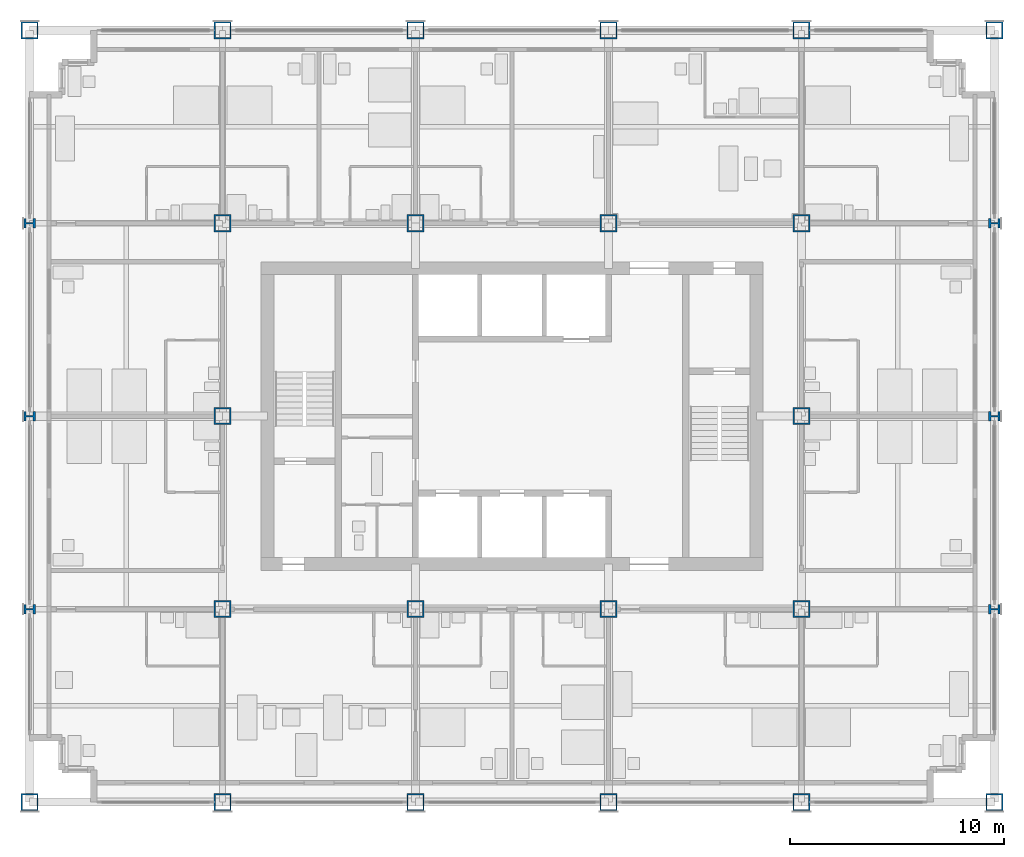
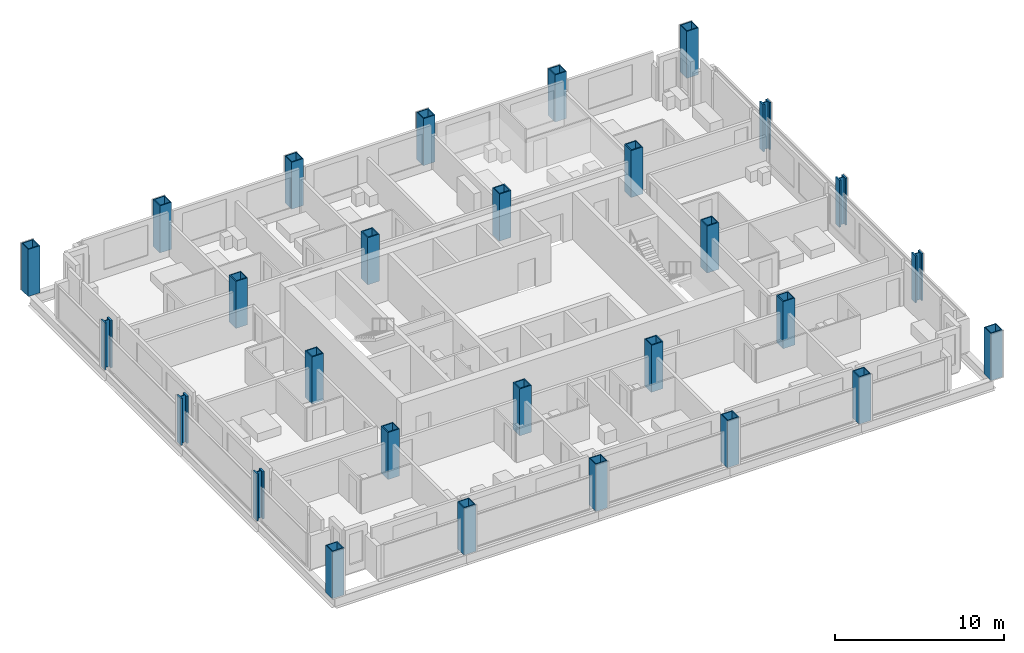
# One storey, part 1 of 16: 28 columns.
"""IFC4 building model written with IfcOpenShell, lengths in metres."""

from ifc_helpers import new_model, si_unit, direction, frame, origin, origin_2d, place, context, subcontext, project, spatial, hollow_rectangle, i_section, extrude, material, material_profile, profile_set, type_object, element, save


model = new_model("IFC4")

# Units and contexts
model_context = context("Model", 3, precision=1e-05, world=origin(), true_north=direction((0.0, 1.0)))
body_context = subcontext(model_context, "Body", "Model", "MODEL_VIEW")
ifc_project = project(units=[si_unit("LENGTHUNIT", "METRE"), si_unit("AREAUNIT", "SQUARE_METRE"), si_unit("VOLUMEUNIT", "CUBIC_METRE"), si_unit("PLANEANGLEUNIT", "RADIAN"), si_unit("MASSUNIT", "GRAM", prefix="KILO")], contexts=[model_context])

# Site, building, storey
site_placement = place(None, origin())
site = spatial("IfcSite", under=ifc_project, at=site_placement, CompositionType="ELEMENT")
building_placement = place(site_placement, origin())
building = spatial("IfcBuilding", under=site, at=building_placement, Name="Loomwork Tower", CompositionType="ELEMENT")
storey_placement = place(building_placement, frame((0.0, 0.0, 128.199951171875)))
storey = spatial("IfcBuildingStorey", under=building, at=storey_placement, Name="L34", CompositionType="ELEMENT", Elevation=128.199951171875)

# Columns
ifc_material_1 = material(Name="Steel ASTM A572 Grade 50 plate", Category="steel")
ifc_material_profile_1 = material_profile(ifc_material_1, hollow_rectangle(XDim=0.800048828125, YDim=0.800048828125, WallThickness=0.06005859375, at=origin_2d()), Name="BOX800x60")
ifc_profile_set_1 = profile_set([ifc_material_profile_1], Name="Steel ASTM A572 Grade 50 plate")
column_type_1 = type_object("IfcColumnType", Name="EXOSKELETON PIER BOX800x60", PredefinedType="COLUMN", material=ifc_profile_set_1)
for number, where, z_axis, x_axis, name in (
    (1, (0.0, 0.0, 0.0), (0.0, 0.0, 1.0), (1.0, 0.0, 0.0), "Exoskeleton Pier D/2 L34"),
    (2, (0.0, 36.0, 0.0), (0.0, 0.0, 1.0), (1.0, 0.0, 0.0), "Exoskeleton Pier H/2 L34"),
    (3, (9.0, 0.0, 0.0), (0.0, 0.0, 1.0), (1.0, 0.0, 0.0), "Exoskeleton Pier D/3 L34"),
    (4, (9.0, 36.0, 0.0), (0.0, 0.0, 1.0), (1.0, 0.0, 0.0), "Exoskeleton Pier H/3 L34"),
    (5, (18.0, 0.0, 0.0), (0.0, 0.0, 1.0), (1.0, 0.0, 0.0), "Exoskeleton Pier D/4 L34"),
    (6, (18.0, 36.0, 0.0), (0.0, 0.0, 1.0), (1.0, 0.0, 0.0), "Exoskeleton Pier H/4 L34"),
    (7, (27.0, 0.0, 0.0), (0.0, 0.0, 1.0), (1.0, 0.0, 0.0), "Exoskeleton Pier D/5 L34"),
    (8, (27.0, 36.0, 0.0), (0.0, 0.0, 1.0), (1.0, 0.0, 0.0), "Exoskeleton Pier H/5 L34"),
    (9, (36.0, 0.0, 0.0), (0.0, 0.0, 1.0), (1.0, 0.0, 0.0), "Exoskeleton Pier D/6 L34"),
    (10, (36.0, 36.0, 0.0), (0.0, 0.0, 1.0), (1.0, 0.0, 0.0), "Exoskeleton Pier H/6 L34"),
    (11, (45.0, 0.0, 0.0), (0.0, 0.0, 1.0), (1.0, 0.0, 0.0), "Exoskeleton Pier D/7 L34"),
    (12, (45.0, 36.0, 0.0), (0.0, 0.0, 1.0), (1.0, 0.0, 0.0), "Exoskeleton Pier H/7 L34"),
):
    element("IfcColumn", number, at=place(storey_placement, frame(where, z_axis=z_axis, x_axis=x_axis)), inside=storey, type_object=column_type_1, Name=name, PredefinedType="COLUMN", context=body_context, shape_type="SweptSolid", body=[
        extrude(hollow_rectangle(XDim=0.800048828125, YDim=0.800048828125, WallThickness=0.06005859375, at=origin_2d()), origin(), (0.0, 0.0, 1.0), 3.400146484375),
    ])
ifc_material_2 = material(Name="Steel ASTM A992", Category="steel")
ifc_material_profile_2 = material_profile(ifc_material_2, i_section(OverallWidth=0.44189453125, OverallDepth=0.53076171875, WebThickness=0.06591796875, FlangeThickness=0.105712890625, at=origin_2d()), Name="W14x605")
ifc_profile_set_2 = profile_set([ifc_material_profile_2], Name="Steel ASTM A992")
column_type_2 = type_object("IfcColumnType", Name="EXOSKELETON PIER W14x605", PredefinedType="COLUMN", material=ifc_profile_set_2)
for number, where, z_axis, x_axis, name in (
    (13, (0.0, 9.0, 0.0), (0.0, 0.0, 1.0), (0.0, 1.0, 0.0), "Exoskeleton Pier E/2 L34"),
    (14, (0.0, 18.0, 0.0), (0.0, 0.0, 1.0), (0.0, 1.0, 0.0), "Exoskeleton Pier F/2 L34"),
    (15, (0.0, 27.0, 0.0), (0.0, 0.0, 1.0), (0.0, 1.0, 0.0), "Exoskeleton Pier G/2 L34"),
    (16, (45.0, 9.0, 0.0), (0.0, 0.0, 1.0), (0.0, 1.0, 0.0), "Exoskeleton Pier E/7 L34"),
    (17, (45.0, 18.0, 0.0), (0.0, 0.0, 1.0), (0.0, 1.0, 0.0), "Exoskeleton Pier F/7 L34"),
    (18, (45.0, 27.0, 0.0), (0.0, 0.0, 1.0), (0.0, 1.0, 0.0), "Exoskeleton Pier G/7 L34"),
):
    element("IfcColumn", number, at=place(storey_placement, frame(where, z_axis=z_axis, x_axis=x_axis)), inside=storey, type_object=column_type_2, Name=name, PredefinedType="COLUMN", context=body_context, shape_type="SweptSolid", body=[
        extrude(i_section(OverallWidth=0.44189453125, OverallDepth=0.53076171875, WebThickness=0.06591796875, FlangeThickness=0.105712890625, at=origin_2d()), origin(), (0.0, 0.0, 1.0), 3.400146484375),
    ])
ifc_material_3 = material(Name="Steel ASTM A572 Grade 50 plate", Category="steel")
ifc_material_profile_3 = material_profile(ifc_material_3, hollow_rectangle(XDim=0.800048828125, YDim=0.800048828125, WallThickness=0.070068359375, at=origin_2d()), Name="BOX800x70")
ifc_profile_set_3 = profile_set([ifc_material_profile_3], Name="Steel ASTM A572 Grade 50 plate")
column_type_3 = type_object("IfcColumnType", Name="TOWER COLUMN BOX800x70", PredefinedType="COLUMN", material=ifc_profile_set_3)
for number, where, z_axis, x_axis, name in (
    (19, (9.0, 9.0, 0.0), (0.0, 0.0, 1.0), (1.0, 0.0, 0.0), "Tower Column E/3 L34"),
    (20, (9.0, 18.0, 0.0), (0.0, 0.0, 1.0), (1.0, 0.0, 0.0), "Tower Column F/3 L34"),
    (21, (9.0, 27.0, 0.0), (0.0, 0.0, 1.0), (1.0, 0.0, 0.0), "Tower Column G/3 L34"),
    (22, (18.0, 9.0, 0.0), (0.0, 0.0, 1.0), (1.0, 0.0, 0.0), "Tower Column E/4 L34"),
    (23, (18.0, 27.0, 0.0), (0.0, 0.0, 1.0), (1.0, 0.0, 0.0), "Tower Column G/4 L34"),
    (24, (27.0, 9.0, 0.0), (0.0, 0.0, 1.0), (1.0, 0.0, 0.0), "Tower Column E/5 L34"),
    (25, (27.0, 27.0, 0.0), (0.0, 0.0, 1.0), (1.0, 0.0, 0.0), "Tower Column G/5 L34"),
    (26, (36.0, 9.0, 0.0), (0.0, 0.0, 1.0), (0.0, 1.0, 0.0), "Tower Column E/6 L34"),
    (27, (36.0, 18.0, 0.0), (0.0, 0.0, 1.0), (0.0, 1.0, 0.0), "Tower Column F/6 L34"),
    (28, (36.0, 27.0, 0.0), (0.0, 0.0, 1.0), (1.0, 0.0, 0.0), "Tower Column G/6 L34"),
):
    element("IfcColumn", number, at=place(storey_placement, frame(where, z_axis=z_axis, x_axis=x_axis)), inside=storey, type_object=column_type_3, Name=name, PredefinedType="COLUMN", context=body_context, shape_type="SweptSolid", body=[
        extrude(hollow_rectangle(XDim=0.800048828125, YDim=0.800048828125, WallThickness=0.070068359375, at=origin_2d()), origin(), (0.0, 0.0, 1.0), 3.400146484375),
    ])

save(model, "model.ifc")
